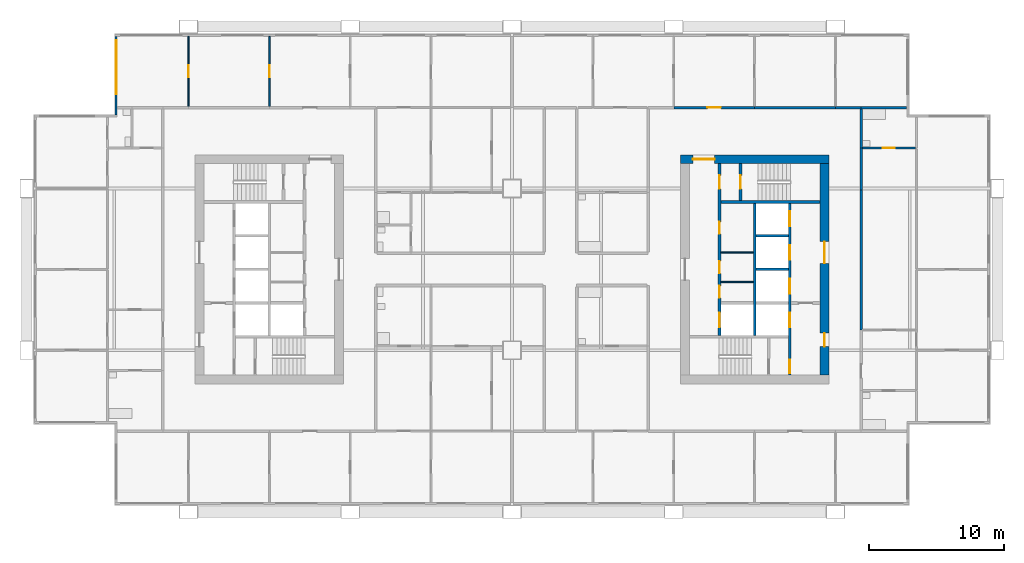
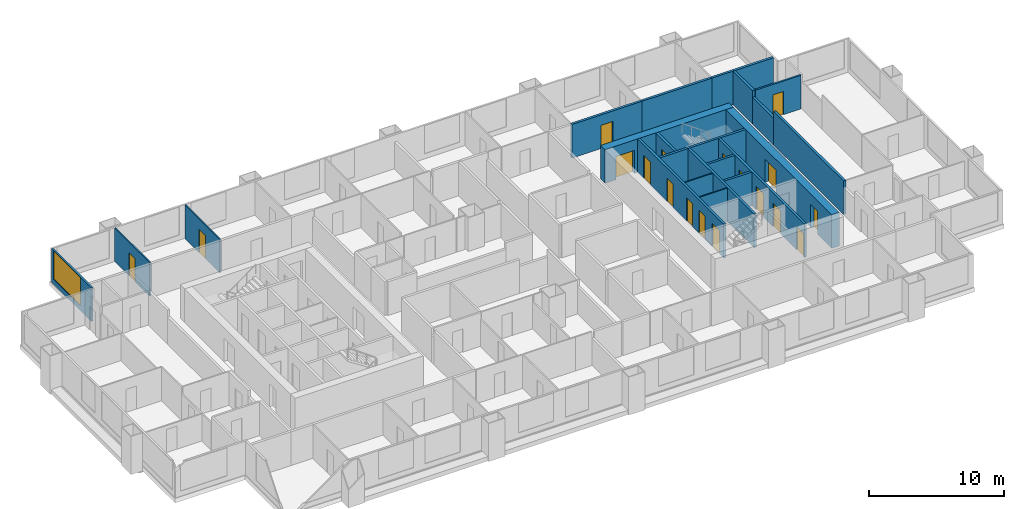
# One storey, part 7 of 11: 22 walls, 18 doors, 1 window, 19 openings.
"""IFC4 building model written with IfcOpenShell, lengths in metres."""

from ifc_helpers import new_model, si_unit, direction, frame, frame_2d, origin, place, context, subcontext, project, spatial, rectangle, extrude, material, layer, layer_set, type_object, element, fill, save


model = new_model("IFC4")

# Units and contexts
model_context = context("Model", 3, precision=1e-05, world=origin(), true_north=direction((0.0, 1.0)))
body_context = subcontext(model_context, "Body", "Model", "MODEL_VIEW")
ifc_project = project(units=[si_unit("LENGTHUNIT", "METRE"), si_unit("AREAUNIT", "SQUARE_METRE"), si_unit("VOLUMEUNIT", "CUBIC_METRE"), si_unit("PLANEANGLEUNIT", "RADIAN"), si_unit("MASSUNIT", "GRAM", prefix="KILO")], contexts=[model_context])

# Site, building, storey
site_placement = place(None, origin())
site = spatial("IfcSite", under=ifc_project, at=site_placement, CompositionType="ELEMENT")
building_placement = place(site_placement, origin())
building = spatial("IfcBuilding", under=site, at=building_placement, Name="Kitamizu Gate Tower and Museum", CompositionType="ELEMENT")
storey_placement = place(building_placement, frame((0.0, 0.0, 127.64990234375)))
storey = spatial("IfcBuildingStorey", under=building, at=storey_placement, Name="L33", CompositionType="ELEMENT", Elevation=127.64990234375)

# Wall, opening, door
ifc_material_1 = material(Name="Concrete Fc60", Category="concrete")
ifc_layer_1 = layer(ifc_material_1, 0.64990234375)
ifc_layer_set_1 = layer_set([ifc_layer_1], Name="Concrete Fc60")
wall_type_1 = type_object("IfcWallType", Name="Core wall 650", PredefinedType="SHEAR", material=ifc_layer_set_1)
wall_1_placement = place(storey_placement, frame((59.5, 38.175048828125, 0.0), z_axis=(0.0, 0.0, 1.0), x_axis=(-1.0, 0.0, 0.0)))
wall_1 = element("IfcWall", 1, at=wall_1_placement, inside=storey, type_object=wall_type_1, Name="Core wall EN", PredefinedType="SHEAR", context=body_context, shape_type="SweptSolid", body=[
    extrude(rectangle(XDim=11.0, YDim=0.64990234375, at=frame_2d((5.5, 0.0))), origin(), (0.0, 0.0, 1.0), 3.050048828125),
])
opening_1_placement = place(wall_1_placement, frame((8.47509765625, 0.0, 0.0)))
opening_1 = element("IfcOpeningElement", 2, at=opening_1_placement, cuts=wall_1, Name="Opening L33-071", PredefinedType="OPENING", context=body_context, shape_type="SweptSolid", body=[
    extrude(rectangle(XDim=1.60009765625, YDim=2.10009765625, at=frame_2d((0.800048828125, 1.050048828125))), frame((0.0, 0.3349609375, 0.0), z_axis=(0.0, -1.0, 0.0), x_axis=(1.0, 0.0, 0.0)), (0.0, 0.0, 1.0), 0.669921875),
])
ifc_material_2 = material(Name="Timber door set", Category="wood")
door_type_1 = type_object("IfcDoorType", Name="Entrance door 1600", OperationType="DOUBLE_DOOR_SINGLE_SWING", PredefinedType="DOOR", material=ifc_material_2)
door_1_placement = place(opening_1_placement, origin())
door_1 = element("IfcDoor", 3, at=door_1_placement, inside=storey, type_object=door_type_1, Name="Lobby door L33-071", OperationType="DOUBLE_DOOR_SINGLE_SWING", OverallHeight=2.10009765625, OverallWidth=1.60009765625, PredefinedType="DOOR", context=body_context, shape_type="SweptSolid", body=[
    extrude(rectangle(XDim=1.60009765625, YDim=2.10009765625, at=frame_2d((0.800048828125, 1.050048828125))), frame((0.0, 0.02490234375, 0.0), z_axis=(0.0, -1.0, 0.0), x_axis=(1.0, 0.0, 0.0)), (0.0, 0.0, 1.0), 0.050048828125),
])
fill(opening_1, door_1)

# Wall, openings, doors
wall_2_placement = place(storey_placement, frame((59.175048828125, 22.14990234375, 0.0), z_axis=(0.0, 0.0, 1.0), x_axis=(0.0, 1.0, 0.0)))
wall_2 = element("IfcWall", 4, at=wall_2_placement, inside=storey, type_object=wall_type_1, Name="Core wall EOUT", PredefinedType="SHEAR", context=body_context, shape_type="SweptSolid", body=[
    extrude(rectangle(XDim=15.7001953125, YDim=0.64990234375, at=frame_2d((7.85009765625, 0.0))), origin(), (0.0, 0.0, 1.0), 3.050048828125),
])
opening_2_placement = place(wall_2_placement, frame((8.300048828125, 0.0, 0.0)))
opening_2 = element("IfcOpeningElement", 5, at=opening_2_placement, cuts=wall_2, Name="Opening L33-069", PredefinedType="OPENING", context=body_context, shape_type="SweptSolid", body=[
    extrude(rectangle(XDim=1.60009765625, YDim=2.10009765625, at=frame_2d((0.800048828125, 1.050048828125))), frame((0.0, 0.3349609375, 0.0), z_axis=(0.0, -1.0, 0.0), x_axis=(1.0, 0.0, 0.0)), (0.0, 0.0, 1.0), 0.669921875),
])
opening_3_placement = place(wall_2_placement, frame((2.125, 0.0, 0.0)))
opening_3 = element("IfcOpeningElement", 6, at=opening_3_placement, cuts=wall_2, Name="Opening L33-070", PredefinedType="OPENING", context=body_context, shape_type="SweptSolid", body=[
    extrude(rectangle(XDim=1.0, YDim=2.10009765625, at=frame_2d((0.5, 1.050048828125))), frame((0.0, 0.3349609375, 0.0), z_axis=(0.0, -1.0, 0.0), x_axis=(1.0, 0.0, 0.0)), (0.0, 0.0, 1.0), 0.669921875),
])
door_2_placement = place(opening_2_placement, origin())
door_2 = element("IfcDoor", 7, at=door_2_placement, inside=storey, type_object=door_type_1, Name="Lobby door L33-069", OperationType="DOUBLE_DOOR_SINGLE_SWING", OverallHeight=2.10009765625, OverallWidth=1.60009765625, PredefinedType="DOOR", context=body_context, shape_type="SweptSolid", body=[
    extrude(rectangle(XDim=1.60009765625, YDim=2.10009765625, at=frame_2d((0.800048828125, 1.050048828125))), frame((0.0, 0.02490234375, 0.0), z_axis=(0.0, -1.0, 0.0), x_axis=(1.0, 0.0, 0.0)), (0.0, 0.0, 1.0), 0.050048828125),
])
fill(opening_2, door_2)
ifc_material_3 = material(Name="Hollow metal door set")
door_type_2 = type_object("IfcDoorType", Name="Fire door 1000", OperationType="NOTDEFINED", PredefinedType="DOOR", material=ifc_material_3)
door_3_placement = place(opening_3_placement, origin())
door_3 = element("IfcDoor", 8, at=door_3_placement, inside=storey, type_object=door_type_2, Name="Fire-fighting lobby door L33-070", OperationType="SINGLE_SWING_RIGHT", OverallHeight=2.10009765625, OverallWidth=1.0, PredefinedType="DOOR", context=body_context, shape_type="SweptSolid", body=[
    extrude(rectangle(XDim=1.0, YDim=2.10009765625, at=frame_2d((0.5, 1.050048828125))), frame((0.0, 0.02490234375, 0.0), z_axis=(0.0, -1.0, 0.0), x_axis=(1.0, 0.0, 0.0)), (0.0, 0.0, 1.0), 0.050048828125),
])
fill(opening_3, door_3)

# Walls
ifc_material_4 = material(Name="Gypsum board on galvanised stud")
ifc_layer_2 = layer(ifc_material_4, 0.10009765625)
ifc_layer_set_2 = layer_set([ifc_layer_2], Name="Gypsum board on galvanised stud")
wall_type_2 = type_object("IfcWallType", Name="Partition 100", PredefinedType="PARTITIONING", material=ifc_layer_set_2)
for number, where, z_axis, x_axis, name in (
    (9, (53.89990234375, 29.06005859375, 0.0), (0.0, 0.0, 1.0), (-1.0, 0.0, 0.0), "Partition EPF1"),
    (10, (53.89990234375, 31.25, 0.0), (0.0, 0.0, 1.0), (-1.0, 0.0, 0.0), "Partition EPF2"),
):
    element("IfcWall", number, at=place(storey_placement, frame(where, z_axis=z_axis, x_axis=x_axis)), inside=storey, type_object=wall_type_2, Name=name, PredefinedType="PARTITIONING", context=body_context, shape_type="SweptSolid", body=[
        extrude(rectangle(XDim=2.39990234375, YDim=0.10009765625, at=frame_2d((1.199951171875, 0.0))), origin(), (0.0, 0.0, 1.0), 3.050048828125),
    ])

# Wall, opening, door
ifc_material_5 = material(Name="Gypsum board on galvanised stud")
ifc_layer_3 = layer(ifc_material_5, 0.10009765625)
ifc_layer_set_3 = layer_set([ifc_layer_3], Name="Gypsum board on galvanised stud")
wall_type_3 = type_object("IfcWallType", Name="Partition 100 NOT RATED", PredefinedType="PARTITIONING", material=ifc_layer_set_3)
wall_3_placement = place(storey_placement, frame((12.0, 42.10009765625, 0.0), z_axis=(0.0, 0.0, 1.0), x_axis=(0.0, 1.0, 0.0)))
wall_3 = element("IfcWall", 11, at=wall_3_placement, inside=storey, type_object=wall_type_3, Name="Partition L33-049", PredefinedType="PARTITIONING", context=body_context, shape_type="SweptSolid", body=[
    extrude(rectangle(XDim=5.179931640625, YDim=0.10009765625, at=frame_2d((2.58984375, 0.0))), origin(), (0.0, 0.0, 1.0), 3.050048828125),
])
opening_4_placement = place(wall_3_placement, frame((2.139892578125, 0.0, 0.0)))
opening_4 = element("IfcOpeningElement", 12, at=opening_4_placement, cuts=wall_3, Name="Opening L33-021", PredefinedType="OPENING", context=body_context, shape_type="SweptSolid", body=[
    extrude(rectangle(XDim=0.89990234375, YDim=2.10009765625, at=frame_2d((0.449951171875, 1.050048828125))), frame((0.0, 0.06005859375, 0.0), z_axis=(0.0, -1.0, 0.0), x_axis=(1.0, 0.0, 0.0)), (0.0, 0.0, 1.0), 0.1201171875),
])
ifc_material_6 = material(Name="Timber door set", Category="wood")
door_type_3 = type_object("IfcDoorType", Name="Room door 900", OperationType="NOTDEFINED", PredefinedType="DOOR", material=ifc_material_6)
door_4_placement = place(opening_4_placement, origin())
door_4 = element("IfcDoor", 13, at=door_4_placement, inside=storey, type_object=door_type_3, Name="Door L33-021", OperationType="SINGLE_SWING_RIGHT", OverallHeight=2.10009765625, OverallWidth=0.89990234375, PredefinedType="DOOR", context=body_context, shape_type="SweptSolid", body=[
    extrude(rectangle(XDim=0.89990234375, YDim=2.10009765625, at=frame_2d((0.449951171875, 1.050048828125))), frame((0.0, 0.02490234375, 0.0), z_axis=(0.0, -1.0, 0.0), x_axis=(1.0, 0.0, 0.0)), (0.0, 0.0, 1.0), 0.050048828125),
])
fill(opening_4, door_4)

wall_4_placement = place(storey_placement, frame((18.0, 42.10009765625, 0.0), z_axis=(0.0, 0.0, 1.0), x_axis=(0.0, 1.0, 0.0)))
wall_4 = element("IfcWall", 14, at=wall_4_placement, inside=storey, type_object=wall_type_3, Name="Partition L33-053", PredefinedType="PARTITIONING", context=body_context, shape_type="SweptSolid", body=[
    extrude(rectangle(XDim=5.179931640625, YDim=0.10009765625, at=frame_2d((2.58984375, 0.0))), origin(), (0.0, 0.0, 1.0), 3.050048828125),
])
opening_5_placement = place(wall_4_placement, frame((2.139892578125, 0.0, 0.0)))
opening_5 = element("IfcOpeningElement", 15, at=opening_5_placement, cuts=wall_4, Name="Opening L33-019", PredefinedType="OPENING", context=body_context, shape_type="SweptSolid", body=[
    extrude(rectangle(XDim=0.89990234375, YDim=2.10009765625, at=frame_2d((0.449951171875, 1.050048828125))), frame((0.0, 0.06005859375, 0.0), z_axis=(0.0, -1.0, 0.0), x_axis=(1.0, 0.0, 0.0)), (0.0, 0.0, 1.0), 0.1201171875),
])
door_5_placement = place(opening_5_placement, origin())
door_5 = element("IfcDoor", 16, at=door_5_placement, inside=storey, type_object=door_type_3, Name="Door L33-019", OperationType="SINGLE_SWING_RIGHT", OverallHeight=2.10009765625, OverallWidth=0.89990234375, PredefinedType="DOOR", context=body_context, shape_type="SweptSolid", body=[
    extrude(rectangle(XDim=0.89990234375, YDim=2.10009765625, at=frame_2d((0.449951171875, 1.050048828125))), frame((0.0, 0.02490234375, 0.0), z_axis=(0.0, -1.0, 0.0), x_axis=(1.0, 0.0, 0.0)), (0.0, 0.0, 1.0), 0.050048828125),
])
fill(opening_5, door_5)

ifc_material_7 = material(Name="Gypsum board on galvanised stud")
ifc_layer_4 = layer(ifc_material_7, 0.14990234375)
ifc_layer_set_4 = layer_set([ifc_layer_4], Name="Gypsum board on galvanised stud")
wall_type_4 = type_object("IfcWallType", Name="Partition 150", PredefinedType="PARTITIONING", material=ifc_layer_set_4)
wall_5_placement = place(storey_placement, frame((65.925048828125, 39.0, 0.0), z_axis=(0.0, 0.0, 1.0), x_axis=(-1.0, 0.0, 0.0)))
wall_5 = element("IfcWall", 17, at=wall_5_placement, inside=storey, type_object=wall_type_4, Name="Partition L33-139", PredefinedType="PARTITIONING", context=body_context, shape_type="SweptSolid", body=[
    extrude(rectangle(XDim=3.925048828125, YDim=0.14990234375, at=frame_2d((1.96240234375, 0.0))), origin(), (0.0, 0.0, 1.0), 3.050048828125),
])
opening_6_placement = place(wall_5_placement, frame((1.512451171875, 0.0, 0.0)))
opening_6 = element("IfcOpeningElement", 18, at=opening_6_placement, cuts=wall_5, Name="Opening L33-051", PredefinedType="OPENING", context=body_context, shape_type="SweptSolid", body=[
    extrude(rectangle(XDim=0.89990234375, YDim=2.10009765625, at=frame_2d((0.449951171875, 1.050048828125))), frame((0.0, 0.0849609375, 0.0), z_axis=(0.0, -1.0, 0.0), x_axis=(1.0, 0.0, 0.0)), (0.0, 0.0, 1.0), 0.169921875),
])
ifc_material_8 = material(Name="Timber door set", Category="wood")
door_type_4 = type_object("IfcDoorType", Name="Bathroom door 900", OperationType="NOTDEFINED", PredefinedType="DOOR", material=ifc_material_8)
door_6_placement = place(opening_6_placement, frame((0.89990234375, 0.0, 0.0), x_axis=(-1.0, 0.0, 0.0)))
door_6 = element("IfcDoor", 19, at=door_6_placement, inside=storey, type_object=door_type_4, Name="Bathroom door L33-051", OperationType="SINGLE_SWING_RIGHT", OverallHeight=2.10009765625, OverallWidth=0.89990234375, PredefinedType="DOOR", context=body_context, shape_type="SweptSolid", body=[
    extrude(rectangle(XDim=0.89990234375, YDim=2.10009765625, at=frame_2d((0.449951171875, 1.050048828125))), frame((0.0, 0.02490234375, 0.0), z_axis=(0.0, -1.0, 0.0), x_axis=(1.0, 0.0, 0.0)), (0.0, 0.0, 1.0), 0.050048828125),
])
fill(opening_6, door_6)

ifc_material_9 = material(Name="Gypsum board on galvanised stud")
ifc_layer_5 = layer(ifc_material_9, 0.199951171875)
ifc_layer_set_5 = layer_set([ifc_layer_5], Name="Gypsum board on galvanised stud")
wall_type_5 = type_object("IfcWallType", Name="Partition 200", PredefinedType="PARTITIONING", material=ifc_layer_set_5)
wall_6_placement = place(storey_placement, frame((48.0, 42.0, 0.0), z_axis=(0.0, 0.0, 1.0), x_axis=(1.0, 0.0, 0.0)))
wall_6 = element("IfcWall", 20, at=wall_6_placement, inside=storey, type_object=wall_type_5, Name="Partition L33-113", PredefinedType="PARTITIONING", context=body_context, shape_type="SweptSolid", body=[
    extrude(rectangle(XDim=6.0, YDim=0.199951171875, at=frame_2d((3.0, 0.0))), origin(), (0.0, 0.0, 1.0), 3.050048828125),
])
opening_7_placement = place(wall_6_placement, frame((2.5, 0.0, 0.0)))
opening_7 = element("IfcOpeningElement", 21, at=opening_7_placement, cuts=wall_6, Name="Opening L33-038", PredefinedType="OPENING", context=body_context, shape_type="SweptSolid", body=[
    extrude(rectangle(XDim=1.0, YDim=2.10009765625, at=frame_2d((0.5, 1.050048828125))), frame((0.0, 0.10986328125, 0.0), z_axis=(0.0, -1.0, 0.0), x_axis=(1.0, 0.0, 0.0)), (0.0, 0.0, 1.0), 0.219970703125),
])
ifc_material_10 = material(Name="Timber door set", Category="wood")
door_type_5 = type_object("IfcDoorType", Name="Flat entrance door 1000", OperationType="NOTDEFINED", PredefinedType="DOOR", material=ifc_material_10)
door_7_placement = place(opening_7_placement, origin())
door_7 = element("IfcDoor", 22, at=door_7_placement, inside=storey, type_object=door_type_5, Name="Flat entrance door L33-038", OperationType="SINGLE_SWING_RIGHT", OverallHeight=2.10009765625, OverallWidth=1.0, PredefinedType="DOOR", context=body_context, shape_type="SweptSolid", body=[
    extrude(rectangle(XDim=1.0, YDim=2.10009765625, at=frame_2d((0.5, 1.050048828125))), frame((0.0, 0.02490234375, 0.0), z_axis=(0.0, -1.0, 0.0), x_axis=(1.0, 0.0, 0.0)), (0.0, 0.0, 1.0), 0.050048828125),
])
fill(opening_7, door_7)

# Walls
wall_7_placement = place(storey_placement, frame((54.0, 42.0, 0.0), z_axis=(0.0, 0.0, 1.0), x_axis=(1.0, 0.0, 0.0)))
element("IfcWall", 23, at=wall_7_placement, inside=storey, type_object=wall_type_5, Name="Partition L33-115", PredefinedType="PARTITIONING", context=body_context, shape_type="SweptSolid", body=[
    extrude(rectangle(XDim=6.0, YDim=0.199951171875, at=frame_2d((3.0, 0.0))), origin(), (0.0, 0.0, 1.0), 3.050048828125),
])
wall_8_placement = place(storey_placement, frame((61.89990234375, 42.0, 0.0), z_axis=(0.0, 0.0, 1.0), x_axis=(1.0, 0.0, 0.0)))
element("IfcWall", 24, at=wall_8_placement, inside=storey, type_object=wall_type_5, Name="Partition L33-116", PredefinedType="PARTITIONING", context=body_context, shape_type="SweptSolid", body=[
    extrude(rectangle(XDim=3.380126953125, YDim=0.199951171875, at=frame_2d((1.68994140625, 0.0))), origin(), (0.0, 0.0, 1.0), 3.050048828125),
])
wall_9_placement = place(storey_placement, frame((60.0, 42.0, 0.0), z_axis=(0.0, 0.0, 1.0), x_axis=(1.0, 0.0, 0.0)))
element("IfcWall", 25, at=wall_9_placement, inside=storey, type_object=wall_type_5, Name="Partition L33-117", PredefinedType="PARTITIONING", context=body_context, shape_type="SweptSolid", body=[
    extrude(rectangle(XDim=1.89990234375, YDim=0.199951171875, at=frame_2d((0.949951171875, 0.0))), origin(), (0.0, 0.0, 1.0), 3.050048828125),
])
wall_10_placement = place(storey_placement, frame((61.89990234375, 39.0, 0.0), z_axis=(0.0, 0.0, 1.0), x_axis=(0.0, -1.0, 0.0)))
element("IfcWall", 26, at=wall_10_placement, inside=storey, type_object=wall_type_5, Name="Partition L33-140", PredefinedType="PARTITIONING", context=body_context, shape_type="SweptSolid", body=[
    extrude(rectangle(XDim=3.10009765625, YDim=0.199951171875, at=frame_2d((1.550048828125, 0.0))), origin(), (0.0, 0.0, 1.0), 2.4501953125),
])
wall_11_placement = place(storey_placement, frame((61.89990234375, 35.89990234375, 0.0), z_axis=(0.0, 0.0, 1.0), x_axis=(0.0, -1.0, 0.0)))
element("IfcWall", 27, at=wall_11_placement, inside=storey, type_object=wall_type_5, Name="Partition L33-141", PredefinedType="PARTITIONING", context=body_context, shape_type="SweptSolid", body=[
    extrude(rectangle(XDim=10.39990234375, YDim=0.199951171875, at=frame_2d((5.199951171875, 0.0))), origin(), (0.0, 0.0, 1.0), 3.050048828125),
])
wall_12_placement = place(storey_placement, frame((61.89990234375, 41.89990234375, 0.0), z_axis=(0.0, 0.0, 1.0), x_axis=(0.0, -1.0, 0.0)))
element("IfcWall", 28, at=wall_12_placement, inside=storey, type_object=wall_type_5, Name="Partition L33-142", PredefinedType="PARTITIONING", context=body_context, shape_type="SweptSolid", body=[
    extrude(rectangle(XDim=2.89990234375, YDim=0.199951171875, at=frame_2d((1.449951171875, 0.0))), origin(), (0.0, 0.0, 1.0), 3.050048828125),
])

# Wall, openings, doors
ifc_material_11 = material(Name="Concrete Fc42", Category="concrete")
ifc_layer_6 = layer(ifc_material_11, 0.199951171875)
ifc_layer_set_6 = layer_set([ifc_layer_6], Name="Concrete Fc42")
wall_type_6 = type_object("IfcWallType", Name="Shaft wall 200", PredefinedType="SOLIDWALL", material=ifc_layer_set_6)
wall_13_placement = place(storey_placement, frame((56.60009765625, 22.14990234375, 0.0), z_axis=(0.0, 0.0, 1.0), x_axis=(0.0, 1.0, 0.0)))
wall_13 = element("IfcWall", 29, at=wall_13_placement, inside=storey, type_object=wall_type_6, Name="Shaft wall EWEST", PredefinedType="SOLIDWALL", context=body_context, shape_type="SweptSolid", body=[
    extrude(rectangle(XDim=12.75, YDim=0.199951171875, at=frame_2d((6.375, 0.0))), origin(), (0.0, 0.0, 1.0), 3.050048828125),
])
opening_8_placement = place(wall_13_placement, frame((3.550048828125, 0.0, 0.0)))
opening_8 = element("IfcOpeningElement", 30, at=opening_8_placement, cuts=wall_13, Name="Opening LD", PredefinedType="OPENING", context=body_context, shape_type="SweptSolid", body=[
    extrude(rectangle(XDim=1.10009765625, YDim=2.10009765625, at=frame_2d((0.550048828125, 1.050048828125))), frame((0.0, 0.10986328125, 0.0), z_axis=(0.0, -1.0, 0.0), x_axis=(1.0, 0.0, 0.0)), (0.0, 0.0, 1.0), 0.219970703125),
])
opening_9_placement = place(wall_13_placement, frame((6.050048828125, 0.0, 0.0)))
opening_9 = element("IfcOpeningElement", 31, at=opening_9_placement, cuts=wall_13, Name="Opening LD", PredefinedType="OPENING", context=body_context, shape_type="SweptSolid", body=[
    extrude(rectangle(XDim=1.10009765625, YDim=2.10009765625, at=frame_2d((0.550048828125, 1.050048828125))), frame((0.0, 0.10986328125, 0.0), z_axis=(0.0, -1.0, 0.0), x_axis=(1.0, 0.0, 0.0)), (0.0, 0.0, 1.0), 0.219970703125),
])
opening_10_placement = place(wall_13_placement, frame((8.550048828125, 0.0, 0.0)))
opening_10 = element("IfcOpeningElement", 32, at=opening_10_placement, cuts=wall_13, Name="Opening LD", PredefinedType="OPENING", context=body_context, shape_type="SweptSolid", body=[
    extrude(rectangle(XDim=1.10009765625, YDim=2.10009765625, at=frame_2d((0.550048828125, 1.050048828125))), frame((0.0, 0.10986328125, 0.0), z_axis=(0.0, -1.0, 0.0), x_axis=(1.0, 0.0, 0.0)), (0.0, 0.0, 1.0), 0.219970703125),
])
opening_11_placement = place(wall_13_placement, frame((11.050048828125, 0.0, 0.0)))
opening_11 = element("IfcOpeningElement", 33, at=opening_11_placement, cuts=wall_13, Name="Opening LD", PredefinedType="OPENING", context=body_context, shape_type="SweptSolid", body=[
    extrude(rectangle(XDim=1.10009765625, YDim=2.10009765625, at=frame_2d((0.550048828125, 1.050048828125))), frame((0.0, 0.10986328125, 0.0), z_axis=(0.0, -1.0, 0.0), x_axis=(1.0, 0.0, 0.0)), (0.0, 0.0, 1.0), 0.219970703125),
])
opening_12_placement = place(wall_13_placement, frame((0.14990234375, 0.0, 0.0)))
opening_12 = element("IfcOpeningElement", 34, at=opening_12_placement, cuts=wall_13, Name="Opening L33-065", PredefinedType="OPENING", context=body_context, shape_type="SweptSolid", body=[
    extrude(rectangle(XDim=1.0, YDim=2.10009765625, at=frame_2d((0.5, 1.050048828125))), frame((0.0, 0.10986328125, 0.0), z_axis=(0.0, -1.0, 0.0), x_axis=(1.0, 0.0, 0.0)), (0.0, 0.0, 1.0), 0.219970703125),
])
door_8_placement = place(opening_12_placement, origin())
door_8 = element("IfcDoor", 35, at=door_8_placement, inside=storey, type_object=door_type_2, Name="Stair lobby door L33-065", OperationType="SINGLE_SWING_RIGHT", OverallHeight=2.10009765625, OverallWidth=1.0, PredefinedType="DOOR", context=body_context, shape_type="SweptSolid", body=[
    extrude(rectangle(XDim=1.0, YDim=2.10009765625, at=frame_2d((0.5, 1.050048828125))), frame((0.0, 0.02490234375, 0.0), z_axis=(0.0, -1.0, 0.0), x_axis=(1.0, 0.0, 0.0)), (0.0, 0.0, 1.0), 0.050048828125),
])
fill(opening_12, door_8)
ifc_material_12 = material(Name="Hollow metal door set")
door_type_6 = type_object("IfcDoorType", Name="Landing door 1100", OperationType="SLIDING_TO_LEFT", PredefinedType="DOOR", material=ifc_material_12)
door_9_placement = place(opening_8_placement, origin())
door_9 = element("IfcDoor", 36, at=door_9_placement, inside=storey, type_object=door_type_6, Name="Landing door EFF1", OperationType="SLIDING_TO_LEFT", OverallHeight=2.10009765625, OverallWidth=1.10009765625, PredefinedType="DOOR", context=body_context, shape_type="SweptSolid", body=[
    extrude(rectangle(XDim=1.10009765625, YDim=2.10009765625, at=frame_2d((0.550048828125, 1.050048828125))), frame((0.0, 0.02490234375, 0.0), z_axis=(0.0, -1.0, 0.0), x_axis=(1.0, 0.0, 0.0)), (0.0, 0.0, 1.0), 0.050048828125),
])
fill(opening_8, door_9)
door_10_placement = place(opening_9_placement, origin())
door_10 = element("IfcDoor", 37, at=door_10_placement, inside=storey, type_object=door_type_6, Name="Landing door EL1", OperationType="SLIDING_TO_LEFT", OverallHeight=2.10009765625, OverallWidth=1.10009765625, PredefinedType="DOOR", context=body_context, shape_type="SweptSolid", body=[
    extrude(rectangle(XDim=1.10009765625, YDim=2.10009765625, at=frame_2d((0.550048828125, 1.050048828125))), frame((0.0, 0.02490234375, 0.0), z_axis=(0.0, -1.0, 0.0), x_axis=(1.0, 0.0, 0.0)), (0.0, 0.0, 1.0), 0.050048828125),
])
fill(opening_9, door_10)
door_11_placement = place(opening_10_placement, origin())
door_11 = element("IfcDoor", 38, at=door_11_placement, inside=storey, type_object=door_type_6, Name="Landing door EL2", OperationType="SLIDING_TO_LEFT", OverallHeight=2.10009765625, OverallWidth=1.10009765625, PredefinedType="DOOR", context=body_context, shape_type="SweptSolid", body=[
    extrude(rectangle(XDim=1.10009765625, YDim=2.10009765625, at=frame_2d((0.550048828125, 1.050048828125))), frame((0.0, 0.02490234375, 0.0), z_axis=(0.0, -1.0, 0.0), x_axis=(1.0, 0.0, 0.0)), (0.0, 0.0, 1.0), 0.050048828125),
])
fill(opening_10, door_11)
door_12_placement = place(opening_11_placement, origin())
door_12 = element("IfcDoor", 39, at=door_12_placement, inside=storey, type_object=door_type_6, Name="Landing door EL3", OperationType="SLIDING_TO_LEFT", OverallHeight=2.10009765625, OverallWidth=1.10009765625, PredefinedType="DOOR", context=body_context, shape_type="SweptSolid", body=[
    extrude(rectangle(XDim=1.10009765625, YDim=2.10009765625, at=frame_2d((0.550048828125, 1.050048828125))), frame((0.0, 0.02490234375, 0.0), z_axis=(0.0, -1.0, 0.0), x_axis=(1.0, 0.0, 0.0)), (0.0, 0.0, 1.0), 0.050048828125),
])
fill(opening_11, door_12)

wall_14_placement = place(storey_placement, frame((51.39990234375, 25.10009765625, 0.0), z_axis=(0.0, 0.0, 1.0), x_axis=(0.0, 1.0, 0.0)))
wall_14 = element("IfcWall", 40, at=wall_14_placement, inside=storey, type_object=wall_type_6, Name="Shaft wall EEAST", PredefinedType="SOLIDWALL", context=body_context, shape_type="SweptSolid", body=[
    extrude(rectangle(XDim=12.75, YDim=0.199951171875, at=frame_2d((6.375, 0.0))), origin(), (0.0, 0.0, 1.0), 3.050048828125),
])
opening_13_placement = place(wall_14_placement, frame((0.60009765625, 0.0, 0.0)))
opening_13 = element("IfcOpeningElement", 41, at=opening_13_placement, cuts=wall_14, Name="Opening LD", PredefinedType="OPENING", context=body_context, shape_type="SweptSolid", body=[
    extrude(rectangle(XDim=1.10009765625, YDim=2.10009765625, at=frame_2d((0.550048828125, 1.050048828125))), frame((0.0, 0.10986328125, 0.0), z_axis=(0.0, -1.0, 0.0), x_axis=(1.0, 0.0, 0.0)), (0.0, 0.0, 1.0), 0.219970703125),
])
opening_14_placement = place(wall_14_placement, frame((10.875, 0.0, 0.0)))
opening_14 = element("IfcOpeningElement", 42, at=opening_14_placement, cuts=wall_14, Name="Opening L33-066", PredefinedType="OPENING", context=body_context, shape_type="SweptSolid", body=[
    extrude(rectangle(XDim=1.0, YDim=2.10009765625, at=frame_2d((0.5, 1.050048828125))), frame((0.0, 0.10986328125, 0.0), z_axis=(0.0, -1.0, 0.0), x_axis=(1.0, 0.0, 0.0)), (0.0, 0.0, 1.0), 0.219970703125),
])
opening_15_placement = place(wall_14_placement, frame((2.780029296875, 0.0, 0.0)))
opening_15 = element("IfcOpeningElement", 43, at=opening_15_placement, cuts=wall_14, Name="Opening L33-073", PredefinedType="OPENING", context=body_context, shape_type="SweptSolid", body=[
    extrude(rectangle(XDim=0.89990234375, YDim=2.10009765625, at=frame_2d((0.449951171875, 1.050048828125))), frame((0.0, 0.10986328125, 0.0), z_axis=(0.0, -1.0, 0.0), x_axis=(1.0, 0.0, 0.0)), (0.0, 0.0, 1.0), 0.219970703125),
])
opening_16_placement = place(wall_14_placement, frame((4.60498046875, 0.0, 0.0)))
opening_16 = element("IfcOpeningElement", 44, at=opening_16_placement, cuts=wall_14, Name="Opening L33-074", PredefinedType="OPENING", context=body_context, shape_type="SweptSolid", body=[
    extrude(rectangle(XDim=0.89990234375, YDim=2.10009765625, at=frame_2d((0.449951171875, 1.050048828125))), frame((0.0, 0.10986328125, 0.0), z_axis=(0.0, -1.0, 0.0), x_axis=(1.0, 0.0, 0.0)), (0.0, 0.0, 1.0), 0.219970703125),
])
opening_17_placement = place(wall_14_placement, frame((7.52490234375, 0.0, 0.0)))
opening_17 = element("IfcOpeningElement", 45, at=opening_17_placement, cuts=wall_14, Name="Opening L33-075", PredefinedType="OPENING", context=body_context, shape_type="SweptSolid", body=[
    extrude(rectangle(XDim=0.89990234375, YDim=2.10009765625, at=frame_2d((0.449951171875, 1.050048828125))), frame((0.0, 0.10986328125, 0.0), z_axis=(0.0, -1.0, 0.0), x_axis=(1.0, 0.0, 0.0)), (0.0, 0.0, 1.0), 0.219970703125),
])
door_13_placement = place(opening_14_placement, frame((1.0, 0.0, 0.0), x_axis=(-1.0, 0.0, 0.0)))
door_13 = element("IfcDoor", 46, at=door_13_placement, inside=storey, type_object=door_type_2, Name="Stair lobby door L33-066", OperationType="SINGLE_SWING_RIGHT", OverallHeight=2.10009765625, OverallWidth=1.0, PredefinedType="DOOR", context=body_context, shape_type="SweptSolid", body=[
    extrude(rectangle(XDim=1.0, YDim=2.10009765625, at=frame_2d((0.5, 1.050048828125))), frame((0.0, 0.02490234375, 0.0), z_axis=(0.0, -1.0, 0.0), x_axis=(1.0, 0.0, 0.0)), (0.0, 0.0, 1.0), 0.050048828125),
])
fill(opening_14, door_13)
door_14_placement = place(opening_13_placement, origin())
door_14 = element("IfcDoor", 47, at=door_14_placement, inside=storey, type_object=door_type_6, Name="Landing door ESV1", OperationType="SLIDING_TO_LEFT", OverallHeight=2.10009765625, OverallWidth=1.10009765625, PredefinedType="DOOR", context=body_context, shape_type="SweptSolid", body=[
    extrude(rectangle(XDim=1.10009765625, YDim=2.10009765625, at=frame_2d((0.550048828125, 1.050048828125))), frame((0.0, 0.02490234375, 0.0), z_axis=(0.0, -1.0, 0.0), x_axis=(1.0, 0.0, 0.0)), (0.0, 0.0, 1.0), 0.050048828125),
])
fill(opening_13, door_14)
ifc_material_13 = material(Name="Timber door set", Category="wood")
door_type_7 = type_object("IfcDoorType", Name="Service door 900", OperationType="NOTDEFINED", PredefinedType="DOOR", material=ifc_material_13)
door_15_placement = place(opening_15_placement, frame((0.89990234375, 0.0, 0.0), x_axis=(-1.0, 0.0, 0.0)))
door_15 = element("IfcDoor", 48, at=door_15_placement, inside=storey, type_object=door_type_7, Name="Service door L33-073", OperationType="SINGLE_SWING_RIGHT", OverallHeight=2.10009765625, OverallWidth=0.89990234375, PredefinedType="DOOR", context=body_context, shape_type="SweptSolid", body=[
    extrude(rectangle(XDim=0.89990234375, YDim=2.10009765625, at=frame_2d((0.449951171875, 1.050048828125))), frame((0.0, 0.02490234375, 0.0), z_axis=(0.0, -1.0, 0.0), x_axis=(1.0, 0.0, 0.0)), (0.0, 0.0, 1.0), 0.050048828125),
])
fill(opening_15, door_15)
door_16_placement = place(opening_16_placement, frame((0.89990234375, 0.0, 0.0), x_axis=(-1.0, 0.0, 0.0)))
door_16 = element("IfcDoor", 49, at=door_16_placement, inside=storey, type_object=door_type_7, Name="Service door L33-074", OperationType="SINGLE_SWING_LEFT", OverallHeight=2.10009765625, OverallWidth=0.89990234375, PredefinedType="DOOR", context=body_context, shape_type="SweptSolid", body=[
    extrude(rectangle(XDim=0.89990234375, YDim=2.10009765625, at=frame_2d((0.449951171875, 1.050048828125))), frame((0.0, 0.02490234375, 0.0), z_axis=(0.0, -1.0, 0.0), x_axis=(1.0, 0.0, 0.0)), (0.0, 0.0, 1.0), 0.050048828125),
])
fill(opening_16, door_16)
door_17_placement = place(opening_17_placement, frame((0.89990234375, 0.0, 0.0), x_axis=(-1.0, 0.0, 0.0)))
door_17 = element("IfcDoor", 50, at=door_17_placement, inside=storey, type_object=door_type_7, Name="Service door L33-075", OperationType="SINGLE_SWING_RIGHT", OverallHeight=2.10009765625, OverallWidth=0.89990234375, PredefinedType="DOOR", context=body_context, shape_type="SweptSolid", body=[
    extrude(rectangle(XDim=0.89990234375, YDim=2.10009765625, at=frame_2d((0.449951171875, 1.050048828125))), frame((0.0, 0.02490234375, 0.0), z_axis=(0.0, -1.0, 0.0), x_axis=(1.0, 0.0, 0.0)), (0.0, 0.0, 1.0), 0.050048828125),
])
fill(opening_17, door_17)

# Walls
wall_15_placement = place(storey_placement, frame((54.0, 25.10009765625, 0.0), z_axis=(0.0, 0.0, 1.0), x_axis=(0.0, 1.0, 0.0)))
element("IfcWall", 51, at=wall_15_placement, inside=storey, type_object=wall_type_6, Name="Shaft wall EMID", PredefinedType="SOLIDWALL", context=body_context, shape_type="SweptSolid", body=[
    extrude(rectangle(XDim=9.7998046875, YDim=0.199951171875, at=frame_2d((4.89990234375, 0.0))), origin(), (0.0, 0.0, 1.0), 3.050048828125),
])
wall_16_placement = place(storey_placement, frame((58.85009765625, 35.0, 0.0), z_axis=(0.0, 0.0, 1.0), x_axis=(-1.0, 0.0, 0.0)))
element("IfcWall", 52, at=wall_16_placement, inside=storey, type_object=wall_type_6, Name="Shaft wall ENB", PredefinedType="SOLIDWALL", context=body_context, shape_type="SweptSolid", body=[
    extrude(rectangle(XDim=7.35009765625, YDim=0.199951171875, at=frame_2d((3.675048828125, 0.0))), origin(), (0.0, 0.0, 1.0), 3.050048828125),
])

# Wall, opening, door
wall_17_placement = place(storey_placement, frame((52.949951171875, 35.10009765625, 0.0), z_axis=(0.0, 0.0, 1.0), x_axis=(0.0, 1.0, 0.0)))
wall_17 = element("IfcWall", 53, at=wall_17_placement, inside=storey, type_object=wall_type_6, Name="Shaft wall ENZ", PredefinedType="SOLIDWALL", context=body_context, shape_type="SweptSolid", body=[
    extrude(rectangle(XDim=2.75, YDim=0.199951171875, at=frame_2d((1.375, 0.0))), origin(), (0.0, 0.0, 1.0), 3.050048828125),
])
opening_18_placement = place(wall_17_placement, frame((0.875, 0.0, 0.0)))
opening_18 = element("IfcOpeningElement", 54, at=opening_18_placement, cuts=wall_17, Name="Opening L33-067", PredefinedType="OPENING", context=body_context, shape_type="SweptSolid", body=[
    extrude(rectangle(XDim=1.0, YDim=2.10009765625, at=frame_2d((0.5, 1.050048828125))), frame((0.0, 0.10986328125, 0.0), z_axis=(0.0, -1.0, 0.0), x_axis=(1.0, 0.0, 0.0)), (0.0, 0.0, 1.0), 0.219970703125),
])
door_18_placement = place(opening_18_placement, frame((1.0, 0.0, 0.0), x_axis=(-1.0, 0.0, 0.0)))
door_18 = element("IfcDoor", 55, at=door_18_placement, inside=storey, type_object=door_type_2, Name="Stair door L33-067", OperationType="SINGLE_SWING_LEFT", OverallHeight=2.10009765625, OverallWidth=1.0, PredefinedType="DOOR", context=body_context, shape_type="SweptSolid", body=[
    extrude(rectangle(XDim=1.0, YDim=2.10009765625, at=frame_2d((0.5, 1.050048828125))), frame((0.0, 0.02490234375, 0.0), z_axis=(0.0, -1.0, 0.0), x_axis=(1.0, 0.0, 0.0)), (0.0, 0.0, 1.0), 0.050048828125),
])
fill(opening_18, door_18)

# Walls
for number, where, z_axis, x_axis, name in (
    (56, (56.5, 30.0, 0.0), (0.0, 0.0, 1.0), (-1.0, 0.0, 0.0), "Shaft wall EDVW1"),
    (57, (56.5, 32.5, 0.0), (0.0, 0.0, 1.0), (-1.0, 0.0, 0.0), "Shaft wall EDVW2"),
):
    element("IfcWall", number, at=place(storey_placement, frame(where, z_axis=z_axis, x_axis=x_axis)), inside=storey, type_object=wall_type_6, Name=name, PredefinedType="SOLIDWALL", context=body_context, shape_type="SweptSolid", body=[
        extrude(rectangle(XDim=2.39990234375, YDim=0.199951171875, at=frame_2d((1.199951171875, 0.0))), origin(), (0.0, 0.0, 1.0), 3.050048828125),
    ])

# Wall, opening, window
ifc_material_14 = material(Name="Bronze anodised aluminium frame with insulated spandrel and tinted glass", Category="aluminium")
ifc_layer_7 = layer(ifc_material_14, 0.14990234375)
ifc_layer_set_7 = layer_set([ifc_layer_7], Name="Bronze anodised aluminium frame with insulated spandrel and tinted glass")
wall_type_7 = type_object("IfcWallType", Name="WINDOW WALL 150 BRONZE FRAME EI 30", PredefinedType="ELEMENTEDWALL", material=ifc_layer_set_7)
wall_18_placement = place(storey_placement, frame((6.635009765625, 41.43994140625, 0.0), z_axis=(0.0, 0.0, 1.0), x_axis=(0.0, 1.0, 0.0)))
wall_18 = element("IfcWall", 58, at=wall_18_placement, inside=storey, type_object=wall_type_7, Name="Window wall west L33", PredefinedType="ELEMENTEDWALL", context=body_context, shape_type="SweptSolid", body=[
    extrude(rectangle(XDim=5.85009765625, YDim=0.14990234375, at=frame_2d((2.925048828125, 0.0))), origin(), (0.0, 0.0, 1.0), 3.050048828125),
])
opening_19_placement = place(wall_18_placement, frame((1.56005859375, 0.0, 0.449951171875)))
opening_19 = element("IfcOpeningElement", 59, at=opening_19_placement, cuts=wall_18, Name="Opening W16", PredefinedType="OPENING", context=body_context, shape_type="SweptSolid", body=[
    extrude(rectangle(XDim=4.0, YDim=2.550048828125, at=frame_2d((2.0, 1.27490234375))), frame((0.0, 0.0849609375, 0.0), z_axis=(0.0, -1.0, 0.0), x_axis=(1.0, 0.0, 0.0)), (0.0, 0.0, 1.0), 0.169921875),
])
ifc_material_15 = material(Name="Bronze anodised aluminium frame, tinted triple glazing", Category="aluminium")
window_type = type_object("IfcWindowType", Name="WINDOW 4000 x 2550 SILL 450", PartitioningType="SINGLE_PANEL", PredefinedType="WINDOW", material=ifc_material_15)
window_placement = place(opening_19_placement, origin())
window = element("IfcWindow", 60, at=window_placement, inside=storey, type_object=window_type, Name="Window W16 L33", OverallHeight=2.550048828125, OverallWidth=4.0, PartitioningType="SINGLE_PANEL", PredefinedType="WINDOW", context=body_context, shape_type="SweptSolid", body=[
    extrude(rectangle(XDim=4.0, YDim=2.550048828125, at=frame_2d((2.0, 1.27490234375))), frame((0.0, 0.030029296875, 0.0), z_axis=(0.0, -1.0, 0.0), x_axis=(1.0, 0.0, 0.0)), (0.0, 0.0, 1.0), 0.06005859375),
])
fill(opening_19, window)

save(model, "model.ifc")
